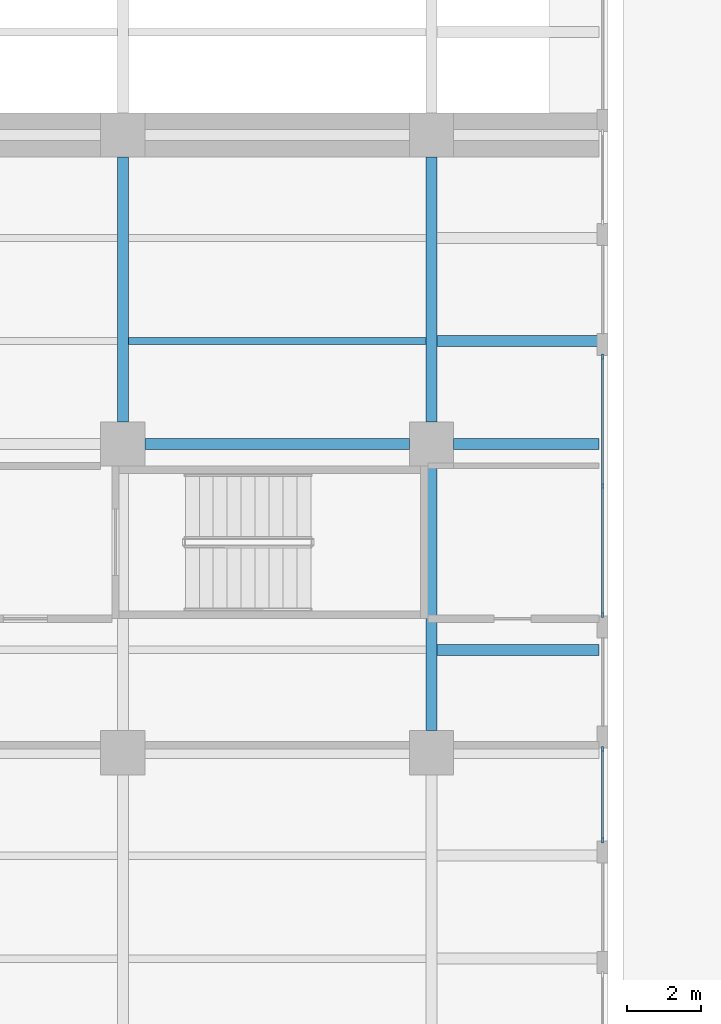
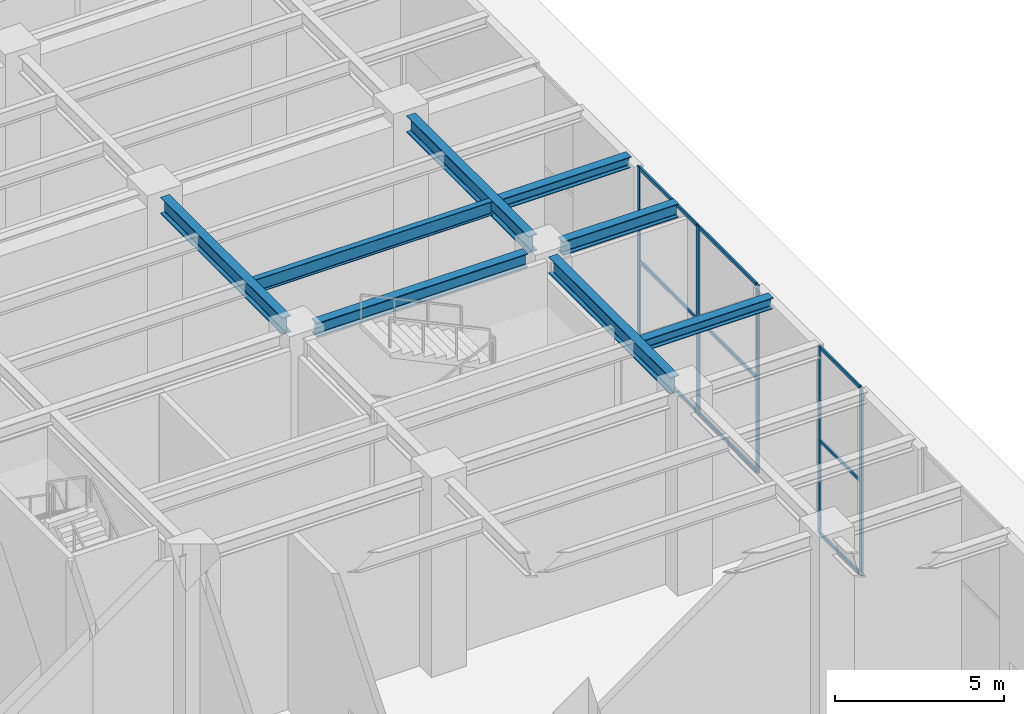
# One storey, part 21 of 43: 14 members, 8 beams, 2 elements without a shape of their own.
"""IFC4 building model written with IfcOpenShell, lengths in metres."""

from ifc_helpers import new_model, si_unit, direction, frame, origin, origin_2d, place, context, subcontext, project, spatial, rectangle, i_section, extrude, material, material_profile, profile_set, type_object, element, aggregate, save


model = new_model("IFC4")

# Units and contexts
model_context = context("Model", 3, precision=1e-05, world=origin(), true_north=direction((0.0, 1.0)))
body_context = subcontext(model_context, "Body", "Model", "MODEL_VIEW")
ifc_project = project(units=[si_unit("LENGTHUNIT", "METRE"), si_unit("AREAUNIT", "SQUARE_METRE"), si_unit("VOLUMEUNIT", "CUBIC_METRE"), si_unit("PLANEANGLEUNIT", "RADIAN"), si_unit("MASSUNIT", "GRAM", prefix="KILO")], contexts=[model_context])

# Site, building, storey
site_placement = place(None, origin())
site = spatial("IfcSite", under=ifc_project, at=site_placement, CompositionType="ELEMENT")
building_placement = place(site_placement, origin())
building = spatial("IfcBuilding", under=site, at=building_placement, Name="Khepri Terraces", CompositionType="ELEMENT")
storey_placement = place(building_placement, origin())
storey = spatial("IfcBuildingStorey", under=building, at=storey_placement, Name="L00", CompositionType="ELEMENT", Elevation=0.0)

# Curtain wall, members
ifc_material_1 = material(Name="Anodised aluminium bronze curtain wall", Category="aluminium")
curtain_wall_type = type_object("IfcCurtainWallType", Name="CW-SYS1-LOBBY", PredefinedType="NOTDEFINED", material=ifc_material_1)
curtain_wall_1_placement = place(storey_placement, origin())
curtain_wall_1 = element("IfcCurtainWall", 1, at=curtain_wall_1_placement, inside=storey, type_object=curtain_wall_type, Name="Curtain wall CW1 L00 E", PredefinedType="NOTDEFINED")
ifc_material_2 = material(Name="Anodised aluminium bronze", Category="aluminium")
ifc_material_profile_1 = material_profile(ifc_material_2, rectangle(XDim=0.06005859375, YDim=0.159912109375, at=origin_2d()), Name="Anodised aluminium bronze", Category="aluminium")
ifc_profile_set_1 = profile_set([ifc_material_profile_1], Name="Anodised aluminium bronze")
member_type_1 = type_object("IfcMemberType", Name="CW-MULLION-60x160", PredefinedType="MULLION", material=ifc_profile_set_1)
member_1_placement = place(storey_placement, frame((46.64990234375, 14.429931640625, 0.0), z_axis=(0.0, 0.0, 1.0), x_axis=(-1.0, 0.0, 0.0)))
member_1 = element("IfcMember", 2, at=member_1_placement, type_object=member_type_1, Name="CW1 mullion 1", PredefinedType="MULLION", context=body_context, shape_type="SweptSolid", body=[
    extrude(rectangle(XDim=0.06005859375, YDim=0.159912109375, at=origin_2d()), origin(), (0.0, 0.0, 1.0), 6.780029296875),
])
member_2_placement = place(storey_placement, frame((46.64990234375, 16.89501953125, 0.0), z_axis=(0.0, 0.0, 1.0), x_axis=(-1.0, 0.0, 0.0)))
member_2 = element("IfcMember", 3, at=member_2_placement, type_object=member_type_1, Name="CW1 mullion 2", PredefinedType="MULLION", context=body_context, shape_type="SweptSolid", body=[
    extrude(rectangle(XDim=0.06005859375, YDim=0.159912109375, at=origin_2d()), origin(), (0.0, 0.0, 1.0), 6.780029296875),
])

curtain_wall_2_placement = place(storey_placement, origin())
curtain_wall_2 = element("IfcCurtainWall", 4, at=curtain_wall_2_placement, inside=storey, type_object=curtain_wall_type, Name="Curtain wall CW1 L00 E", PredefinedType="NOTDEFINED")
member_3_placement = place(storey_placement, frame((46.64990234375, 20.554931640625, 0.0), z_axis=(0.0, 0.0, 1.0), x_axis=(-1.0, 0.0, 0.0)))
member_3 = element("IfcMember", 5, at=member_3_placement, type_object=member_type_1, Name="CW1 mullion 1", PredefinedType="MULLION", context=body_context, shape_type="SweptSolid", body=[
    extrude(rectangle(XDim=0.06005859375, YDim=0.159912109375, at=origin_2d()), origin(), (0.0, 0.0, 1.0), 6.780029296875),
])
member_4_placement = place(storey_placement, frame((46.64990234375, 24.0625, 0.0), z_axis=(0.0, 0.0, 1.0), x_axis=(-1.0, 0.0, 0.0)))
member_4 = element("IfcMember", 6, at=member_4_placement, type_object=member_type_1, Name="CW1 mullion 2", PredefinedType="MULLION", context=body_context, shape_type="SweptSolid", body=[
    extrude(rectangle(XDim=0.06005859375, YDim=0.159912109375, at=origin_2d()), origin(), (0.0, 0.0, 1.0), 6.780029296875),
])
member_5_placement = place(storey_placement, frame((46.64990234375, 27.570068359375, 0.0), z_axis=(0.0, 0.0, 1.0), x_axis=(-1.0, 0.0, 0.0)))
member_5 = element("IfcMember", 7, at=member_5_placement, type_object=member_type_1, Name="CW1 mullion 3", PredefinedType="MULLION", context=body_context, shape_type="SweptSolid", body=[
    extrude(rectangle(XDim=0.06005859375, YDim=0.159912109375, at=origin_2d()), origin(), (0.0, 0.0, 1.0), 6.780029296875),
])

# Member
ifc_material_profile_2 = material_profile(ifc_material_2, rectangle(XDim=0.06005859375, YDim=0.1201171875, at=origin_2d()), Name="Anodised aluminium bronze", Category="aluminium")
ifc_profile_set_2 = profile_set([ifc_material_profile_2], Name="Anodised aluminium bronze")
member_type_2 = type_object("IfcMemberType", Name="CW-TRANSOM-60x120", PredefinedType="USERDEFINED", material=ifc_profile_set_2)
member_6_placement = place(storey_placement, frame((46.64990234375, 14.4599609375, 0.030029296875), z_axis=(0.0, 1.0, 0.0), x_axis=(-1.0, 0.0, 0.0)))
member_6 = element("IfcMember", 8, at=member_6_placement, type_object=member_type_2, Name="CW1 transom 1.1", ObjectType="TRANSOM", PredefinedType="USERDEFINED", context=body_context, shape_type="SweptSolid", body=[
    extrude(rectangle(XDim=0.06005859375, YDim=0.1201171875, at=origin_2d()), origin(), (0.0, 0.0, 1.0), 2.405029296875),
])

member_7_placement = place(storey_placement, frame((46.64990234375, 14.4599609375, 3.389892578125), z_axis=(0.0, 1.0, 0.0), x_axis=(-1.0, 0.0, 0.0)))
member_7 = element("IfcMember", 9, at=member_7_placement, type_object=member_type_2, Name="CW1 transom 1.2", ObjectType="TRANSOM", PredefinedType="USERDEFINED", context=body_context, shape_type="SweptSolid", body=[
    extrude(rectangle(XDim=0.06005859375, YDim=0.1201171875, at=origin_2d()), origin(), (0.0, 0.0, 1.0), 2.405029296875),
])

member_8_placement = place(storey_placement, frame((46.64990234375, 14.4599609375, 6.75), z_axis=(0.0, 1.0, 0.0), x_axis=(-1.0, 0.0, 0.0)))
member_8 = element("IfcMember", 10, at=member_8_placement, type_object=member_type_2, Name="CW1 transom 1.3", ObjectType="TRANSOM", PredefinedType="USERDEFINED", context=body_context, shape_type="SweptSolid", body=[
    extrude(rectangle(XDim=0.06005859375, YDim=0.1201171875, at=origin_2d()), origin(), (0.0, 0.0, 1.0), 2.405029296875),
])

aggregate(curtain_wall_1, [member_1, member_2, member_6, member_7, member_8])

member_9_placement = place(storey_placement, frame((46.64990234375, 20.5849609375, 0.030029296875), z_axis=(0.0, 1.0, 0.0), x_axis=(-1.0, 0.0, 0.0)))
member_9 = element("IfcMember", 11, at=member_9_placement, type_object=member_type_2, Name="CW1 transom 1.1", ObjectType="TRANSOM", PredefinedType="USERDEFINED", context=body_context, shape_type="SweptSolid", body=[
    extrude(rectangle(XDim=0.06005859375, YDim=0.1201171875, at=origin_2d()), origin(), (0.0, 0.0, 1.0), 3.447509765625),
])

member_10_placement = place(storey_placement, frame((46.64990234375, 20.5849609375, 3.389892578125), z_axis=(0.0, 1.0, 0.0), x_axis=(-1.0, 0.0, 0.0)))
member_10 = element("IfcMember", 12, at=member_10_placement, type_object=member_type_2, Name="CW1 transom 1.2", ObjectType="TRANSOM", PredefinedType="USERDEFINED", context=body_context, shape_type="SweptSolid", body=[
    extrude(rectangle(XDim=0.06005859375, YDim=0.1201171875, at=origin_2d()), origin(), (0.0, 0.0, 1.0), 3.447509765625),
])

member_11_placement = place(storey_placement, frame((46.64990234375, 20.5849609375, 6.75), z_axis=(0.0, 1.0, 0.0), x_axis=(-1.0, 0.0, 0.0)))
member_11 = element("IfcMember", 13, at=member_11_placement, type_object=member_type_2, Name="CW1 transom 1.3", ObjectType="TRANSOM", PredefinedType="USERDEFINED", context=body_context, shape_type="SweptSolid", body=[
    extrude(rectangle(XDim=0.06005859375, YDim=0.1201171875, at=origin_2d()), origin(), (0.0, 0.0, 1.0), 3.447509765625),
])

member_12_placement = place(storey_placement, frame((46.64990234375, 24.092529296875, 0.030029296875), z_axis=(0.0, 1.0, 0.0), x_axis=(-1.0, 0.0, 0.0)))
member_12 = element("IfcMember", 14, at=member_12_placement, type_object=member_type_2, Name="CW1 transom 2.1", ObjectType="TRANSOM", PredefinedType="USERDEFINED", context=body_context, shape_type="SweptSolid", body=[
    extrude(rectangle(XDim=0.06005859375, YDim=0.1201171875, at=origin_2d()), origin(), (0.0, 0.0, 1.0), 3.447509765625),
])

member_13_placement = place(storey_placement, frame((46.64990234375, 24.092529296875, 3.389892578125), z_axis=(0.0, 1.0, 0.0), x_axis=(-1.0, 0.0, 0.0)))
member_13 = element("IfcMember", 15, at=member_13_placement, type_object=member_type_2, Name="CW1 transom 2.2", ObjectType="TRANSOM", PredefinedType="USERDEFINED", context=body_context, shape_type="SweptSolid", body=[
    extrude(rectangle(XDim=0.06005859375, YDim=0.1201171875, at=origin_2d()), origin(), (0.0, 0.0, 1.0), 3.447509765625),
])

member_14_placement = place(storey_placement, frame((46.64990234375, 24.092529296875, 6.75), z_axis=(0.0, 1.0, 0.0), x_axis=(-1.0, 0.0, 0.0)))
member_14 = element("IfcMember", 16, at=member_14_placement, type_object=member_type_2, Name="CW1 transom 2.3", ObjectType="TRANSOM", PredefinedType="USERDEFINED", context=body_context, shape_type="SweptSolid", body=[
    extrude(rectangle(XDim=0.06005859375, YDim=0.1201171875, at=origin_2d()), origin(), (0.0, 0.0, 1.0), 3.447509765625),
])

aggregate(curtain_wall_2, [member_3, member_4, member_5, member_9, member_10, member_11, member_12, member_13, member_14])

# Beams
ifc_material_3 = material(Name="Steel S355", Category="steel")
ifc_material_profile_3 = material_profile(ifc_material_3, i_section(OverallWidth=0.300048828125, OverallDepth=0.39990234375, WebThickness=0.013427734375, FlangeThickness=0.02392578125, FilletRadius=0.027099609375, at=origin_2d()), Name="Steel S355", Category="steel")
ifc_profile_set_3 = profile_set([ifc_material_profile_3], Name="Steel S355")
beam_type_1 = type_object("IfcBeamType", Name="Podium cantilever joist L01 HEB 400", PredefinedType="JOIST", material=ifc_profile_set_3)
for number, where, z_axis, x_axis, name in (
    (17, (42.14990234375, 19.60009765625, 6.800048828125), (1.0, 0.0, 0.0), (0.0, 1.0, 0.0), "Podium cantilever joist L01 184"),
    (18, (42.14990234375, 28.0, 6.800048828125), (1.0, 0.0, 0.0), (0.0, 1.0, 0.0), "Podium cantilever joist L01 206"),
):
    element("IfcBeam", number, at=place(storey_placement, frame(where, z_axis=z_axis, x_axis=x_axis)), inside=storey, type_object=beam_type_1, Name=name, PredefinedType="JOIST", context=body_context, shape_type="SweptSolid", body=[
        extrude(i_section(OverallWidth=0.300048828125, OverallDepth=0.39990234375, WebThickness=0.013427734375, FlangeThickness=0.02392578125, FilletRadius=0.027099609375, at=origin_2d()), origin(), (0.0, 0.0, 1.0), 4.400146484375),
    ])
ifc_material_profile_4 = material_profile(ifc_material_3, i_section(OverallWidth=0.300048828125, OverallDepth=0.60009765625, WebThickness=0.015380859375, FlangeThickness=0.030029296875, FilletRadius=0.027099609375, at=origin_2d()), Name="Steel S355", Category="steel")
ifc_profile_set_4 = profile_set([ifc_material_profile_4], Name="Steel S355")
beam_type_2 = type_object("IfcBeamType", Name="Podium girder L01 HEB 600", PredefinedType="BEAM", material=ifc_profile_set_4)
beam_1_placement = place(storey_placement, frame((33.60009765625, 25.800048828125, 6.699951171875), z_axis=(0.0, 1.0, 0.0), x_axis=(-1.0, 0.0, 0.0)))
element("IfcBeam", 19, at=beam_1_placement, inside=storey, type_object=beam_type_2, Name="Podium girder L01 084", PredefinedType="BEAM", context=body_context, shape_type="SweptSolid", body=[
    extrude(i_section(OverallWidth=0.300048828125, OverallDepth=0.60009765625, WebThickness=0.015380859375, FlangeThickness=0.030029296875, FilletRadius=0.027099609375, at=origin_2d()), origin(), (0.0, 0.0, 1.0), 7.199951171875),
])
beam_2_placement = place(storey_placement, frame((42.0, 17.39990234375, 6.699951171875), z_axis=(0.0, 1.0, 0.0), x_axis=(-1.0, 0.0, 0.0)))
element("IfcBeam", 20, at=beam_2_placement, inside=storey, type_object=beam_type_2, Name="Podium girder L01 095", PredefinedType="BEAM", context=body_context, shape_type="SweptSolid", body=[
    extrude(i_section(OverallWidth=0.300048828125, OverallDepth=0.60009765625, WebThickness=0.015380859375, FlangeThickness=0.030029296875, FilletRadius=0.027099609375, at=origin_2d()), origin(), (0.0, 0.0, 1.0), 7.2001953125),
])
beam_3_placement = place(storey_placement, frame((42.0, 25.800048828125, 6.699951171875), z_axis=(0.0, 1.0, 0.0), x_axis=(-1.0, 0.0, 0.0)))
element("IfcBeam", 21, at=beam_3_placement, inside=storey, type_object=beam_type_2, Name="Podium girder L01 096", PredefinedType="BEAM", context=body_context, shape_type="SweptSolid", body=[
    extrude(i_section(OverallWidth=0.300048828125, OverallDepth=0.60009765625, WebThickness=0.015380859375, FlangeThickness=0.030029296875, FilletRadius=0.027099609375, at=origin_2d()), origin(), (0.0, 0.0, 1.0), 7.199951171875),
])
ifc_material_profile_5 = material_profile(ifc_material_3, i_section(OverallWidth=0.300048828125, OverallDepth=0.5, WebThickness=0.014404296875, FlangeThickness=0.028076171875, FilletRadius=0.027099609375, at=origin_2d()), Name="Steel S355", Category="steel")
ifc_profile_set_5 = profile_set([ifc_material_profile_5], Name="Steel S355")
beam_type_3 = type_object("IfcBeamType", Name="Podium girder L01 grid line HEB 500", PredefinedType="BEAM", material=ifc_profile_set_5)
beam_4_placement = place(storey_placement, frame((34.199951171875, 25.199951171875, 6.75), z_axis=(1.0, 0.0, 0.0), x_axis=(0.0, 1.0, 0.0)))
element("IfcBeam", 22, at=beam_4_placement, inside=storey, type_object=beam_type_3, Name="Podium grid-line girder L01 193", PredefinedType="BEAM", context=body_context, shape_type="SweptSolid", body=[
    extrude(i_section(OverallWidth=0.300048828125, OverallDepth=0.5, WebThickness=0.014404296875, FlangeThickness=0.028076171875, FilletRadius=0.027099609375, at=origin_2d()), origin(), (0.0, 0.0, 1.0), 7.199951171875),
])
beam_5_placement = place(storey_placement, frame((42.60009765625, 25.199951171875, 6.75), z_axis=(1.0, 0.0, 0.0), x_axis=(0.0, 1.0, 0.0)))
element("IfcBeam", 23, at=beam_5_placement, inside=storey, type_object=beam_type_3, Name="Podium grid-line girder L01 194", PredefinedType="BEAM", context=body_context, shape_type="SweptSolid", body=[
    extrude(i_section(OverallWidth=0.300048828125, OverallDepth=0.5, WebThickness=0.014404296875, FlangeThickness=0.028076171875, FilletRadius=0.027099609375, at=origin_2d()), origin(), (0.0, 0.0, 1.0), 3.949951171875),
])
ifc_material_profile_6 = material_profile(ifc_material_3, i_section(OverallWidth=0.199951171875, OverallDepth=0.5, WebThickness=0.01025390625, FlangeThickness=0.01611328125, FilletRadius=0.02099609375, at=origin_2d()), Name="Steel S355", Category="steel")
ifc_profile_set_6 = profile_set([ifc_material_profile_6], Name="Steel S355")
beam_type_4 = type_object("IfcBeamType", Name="Podium joist L01 IPE 500", PredefinedType="JOIST", material=ifc_profile_set_6)
beam_6_placement = place(storey_placement, frame((33.75, 28.0, 6.75), z_axis=(1.0, 0.0, 0.0), x_axis=(0.0, 1.0, 0.0)))
element("IfcBeam", 24, at=beam_6_placement, inside=storey, type_object=beam_type_4, Name="Podium joist L01 205", PredefinedType="JOIST", context=body_context, shape_type="SweptSolid", body=[
    extrude(i_section(OverallWidth=0.199951171875, OverallDepth=0.5, WebThickness=0.01025390625, FlangeThickness=0.01611328125, FilletRadius=0.02099609375, at=origin_2d()), origin(), (0.0, 0.0, 1.0), 8.10009765625),
])

save(model, "model.ifc")
